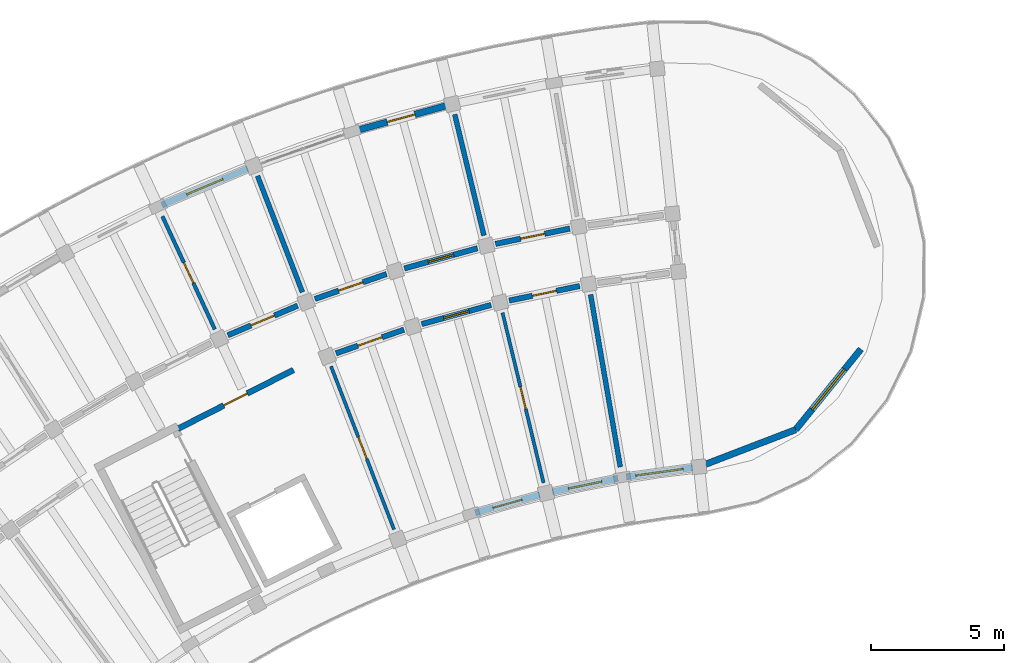
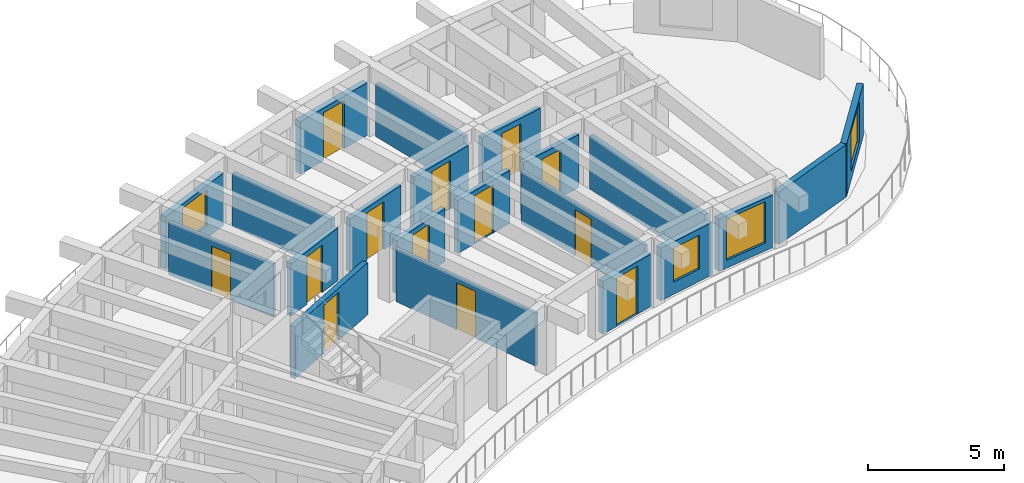
# One storey, part 45 of 78: 21 walls, 13 doors, 4 windows, 17 openings.
"""IFC4 building model written with IfcOpenShell, lengths in metres."""

from ifc_helpers import new_model, si_unit, direction, frame, frame_2d, origin, place, context, subcontext, project, spatial, rectangle, extrude, material, layer, layer_set, type_object, element, fill, save


model = new_model("IFC4")

# Units and contexts
model_context = context("Model", 3, precision=1e-05, world=origin(), true_north=direction((0.0, 1.0)))
body_context = subcontext(model_context, "Body", "Model", "MODEL_VIEW")
ifc_project = project(units=[si_unit("LENGTHUNIT", "METRE"), si_unit("AREAUNIT", "SQUARE_METRE"), si_unit("VOLUMEUNIT", "CUBIC_METRE"), si_unit("PLANEANGLEUNIT", "RADIAN"), si_unit("MASSUNIT", "GRAM", prefix="KILO")], contexts=[model_context])

# Site, building, storey
site_placement = place(None, origin())
site = spatial("IfcSite", under=ifc_project, at=site_placement, CompositionType="ELEMENT")
building_placement = place(site_placement, origin())
building = spatial("IfcBuilding", under=site, at=building_placement, Name="Tanwirah Colonnade Gardens", CompositionType="ELEMENT")
storey_placement = place(building_placement, frame((0.0, 0.0, 22.280029296875)))
storey = spatial("IfcBuildingStorey", under=building, at=storey_placement, Name="L06", CompositionType="ELEMENT", Elevation=22.280029296875)

# Wall, opening, window
ifc_material_1 = material(Name="Limestone architectural precast concrete C40/50", Category="masonry")
ifc_layer_1 = layer(ifc_material_1, 0.2451171875)
ifc_layer_set_1 = layer_set([ifc_layer_1], Name="Limestone architectural precast concrete C40/50")
wall_type_1 = type_object("IfcWallType", Name="EW-PC245", PredefinedType="SOLIDWALL", material=ifc_layer_set_1)
wall_1_placement = place(storey_placement, frame((60.111083984375, 104.372802734375, 0.0), z_axis=(0.0, 0.0, 1.0), x_axis=(-0.990545622952, -0.13718370476, 0.0)))
wall_1 = element("IfcWall", 1, at=wall_1_placement, inside=storey, type_object=wall_type_1, Name="Block A L06 IN Precast Facade Wall 0", PredefinedType="SOLIDWALL", context=body_context, shape_type="SweptSolid", body=[
    extrude(rectangle(XDim=2.525390625, YDim=0.2451171875, at=frame_2d((1.2626953125, 0.0))), origin(), (0.0, 0.0, 1.0), 2.35498046875),
])
opening_1_placement = place(wall_1_placement, frame((0.362548828125, 0.0, 0.35009765625)))
opening_1 = element("IfcOpeningElement", 2, at=opening_1_placement, cuts=wall_1, Name="Opening WIN-T14", PredefinedType="OPENING", context=body_context, shape_type="SweptSolid", body=[
    extrude(rectangle(XDim=1.800048828125, YDim=1.85009765625, at=frame_2d((0.89990234375, 0.925048828125))), frame((0.0, 0.132568359375, 0.0), z_axis=(0.0, -1.0, 0.0), x_axis=(1.0, 0.0, 0.0)), (0.0, 0.0, 1.0), 0.26513671875),
])
ifc_material_2 = material(Name="Thermally broken bronze aluminium and solar low-E double glazing", Category="aluminium")
window_type_1 = type_object("IfcWindowType", Name="WIN-T14", PartitioningType="TRIPLE_PANEL_VERTICAL", PredefinedType="WINDOW", material=ifc_material_2)
window_1_placement = place(opening_1_placement, origin())
window_1 = element("IfcWindow", 3, at=window_1_placement, inside=storey, type_object=window_type_1, Name="Facade window A-L06-IN-00", OverallHeight=1.85009765625, OverallWidth=1.800048828125, PartitioningType="SINGLE_PANEL", PredefinedType="WINDOW", context=body_context, shape_type="SweptSolid", body=[
    extrude(rectangle(XDim=1.800048828125, YDim=1.85009765625, at=frame_2d((0.89990234375, 0.925048828125))), frame((0.0, 0.030029296875, 0.0), z_axis=(0.0, -1.0, 0.0), x_axis=(1.0, 0.0, 0.0)), (0.0, 0.0, 1.0), 0.06005859375),
])
fill(opening_1, window_1)

wall_2_placement = place(storey_placement, frame((57.29443359375, 103.971923828125, 0.0), z_axis=(0.0, 0.0, 1.0), x_axis=(-0.979334432394, -0.20224754517, 0.0)))
wall_2 = element("IfcWall", 4, at=wall_2_placement, inside=storey, type_object=wall_type_1, Name="Block A L06 IN Precast Facade Wall 1", PredefinedType="SOLIDWALL", context=body_context, shape_type="SweptSolid", body=[
    extrude(rectangle(XDim=2.525390625, YDim=0.2451171875, at=frame_2d((1.2626953125, 0.0))), origin(), (0.0, 0.0, 1.0), 2.35498046875),
])
opening_2_placement = place(wall_2_placement, frame((0.62255859375, 0.0, 0.550048828125)))
opening_2 = element("IfcOpeningElement", 5, at=opening_2_placement, cuts=wall_2, Name="Opening WIN-T17", PredefinedType="OPENING", context=body_context, shape_type="SweptSolid", body=[
    extrude(rectangle(XDim=1.280029296875, YDim=1.52001953125, at=frame_2d((0.64013671875, 0.760009765625))), frame((0.0, 0.132568359375, 0.0), z_axis=(0.0, -1.0, 0.0), x_axis=(1.0, 0.0, 0.0)), (0.0, 0.0, 1.0), 0.26513671875),
])
window_type_2 = type_object("IfcWindowType", Name="WIN-T17", PartitioningType="SINGLE_PANEL", PredefinedType="WINDOW", material=ifc_material_2)
window_2_placement = place(opening_2_placement, origin())
window_2 = element("IfcWindow", 6, at=window_2_placement, inside=storey, type_object=window_type_2, Name="Facade window A-L06-IN-01", OverallHeight=1.52001953125, OverallWidth=1.280029296875, PartitioningType="SINGLE_PANEL", PredefinedType="WINDOW", context=body_context, shape_type="SweptSolid", body=[
    extrude(rectangle(XDim=1.280029296875, YDim=1.52001953125, at=frame_2d((0.64013671875, 0.760009765625))), frame((0.0, 0.030029296875, 0.0), z_axis=(0.0, -1.0, 0.0), x_axis=(1.0, 0.0, 0.0)), (0.0, 0.0, 1.0), 0.06005859375),
])
fill(opening_2, window_2)

# Wall, opening, door
wall_3_placement = place(storey_placement, frame((50.80615234375, 118.02587890625, 0.0), z_axis=(0.0, 0.0, 1.0), x_axis=(-0.963899390209, -0.266266718826, 0.0)))
wall_3 = element("IfcWall", 7, at=wall_3_placement, inside=storey, type_object=wall_type_1, Name="Block A L06 OUT Precast Facade Wall 2", PredefinedType="SOLIDWALL", context=body_context, shape_type="SweptSolid", body=[
    extrude(rectangle(XDim=3.52099609375, YDim=0.2451171875, at=frame_2d((1.760498046875, 0.0))), origin(), (0.0, 0.0, 1.0), 2.35498046875),
])
opening_3_placement = place(wall_3_placement, frame((1.220458984375, 0.0, 0.0)))
opening_3 = element("IfcOpeningElement", 8, at=opening_3_placement, cuts=wall_3, Name="Opening L06-ED027", PredefinedType="OPENING", context=body_context, shape_type="SweptSolid", body=[
    extrude(rectangle(XDim=1.080078125, YDim=2.14990234375, at=frame_2d((0.5400390625, 1.074951171875))), frame((0.0, 0.132568359375, 0.0), z_axis=(0.0, -1.0, 0.0), x_axis=(1.0, 0.0, 0.0)), (0.0, 0.0, 1.0), 0.26513671875),
])
ifc_material_3 = material(Name="Bronze aluminium glazed balcony door", Category="aluminium")
door_type_1 = type_object("IfcDoorType", Name="ED-BAL108", OperationType="NOTDEFINED", PredefinedType="DOOR", material=ifc_material_3)
door_1_placement = place(opening_3_placement, origin())
door_1 = element("IfcDoor", 9, at=door_1_placement, inside=storey, type_object=door_type_1, Name="Balcony glazed door L06-ED027", OperationType="SINGLE_SWING_LEFT", OverallHeight=2.14990234375, OverallWidth=1.080078125, PredefinedType="DOOR", context=body_context, shape_type="SweptSolid", body=[
    extrude(rectangle(XDim=1.080078125, YDim=2.14990234375, at=frame_2d((0.5400390625, 1.074951171875))), frame((0.0, 0.02490234375, 0.0), z_axis=(0.0, -1.0, 0.0), x_axis=(1.0, 0.0, 0.0)), (0.0, 0.0, 1.0), 0.050048828125),
])
fill(opening_3, door_1)

wall_4_placement = place(storey_placement, frame((54.34521484375, 103.346435546875, 0.0), z_axis=(0.0, 0.0, 1.0), x_axis=(-0.963901971286, -0.266257375017, 0.0)))
wall_4 = element("IfcWall", 10, at=wall_4_placement, inside=storey, type_object=wall_type_1, Name="Block A L06 IN Precast Facade Wall 2", PredefinedType="SOLIDWALL", context=body_context, shape_type="SweptSolid", body=[
    extrude(rectangle(XDim=2.525146484375, YDim=0.2451171875, at=frame_2d((1.2626953125, 0.0))), origin(), (0.0, 0.0, 1.0), 2.35498046875),
])
opening_4_placement = place(wall_4_placement, frame((0.692626953125, 0.0, 0.0)))
opening_4 = element("IfcOpeningElement", 11, at=opening_4_placement, cuts=wall_4, Name="Opening L06-ED028", PredefinedType="OPENING", context=body_context, shape_type="SweptSolid", body=[
    extrude(rectangle(XDim=1.139892578125, YDim=2.159912109375, at=frame_2d((0.56982421875, 1.080078125))), frame((0.0, 0.132568359375, 0.0), z_axis=(0.0, -1.0, 0.0), x_axis=(1.0, 0.0, 0.0)), (0.0, 0.0, 1.0), 0.26513671875),
])
door_type_2 = type_object("IfcDoorType", Name="ED-BAL114", OperationType="NOTDEFINED", PredefinedType="DOOR", material=ifc_material_3)
door_2_placement = place(opening_4_placement, origin())
door_2 = element("IfcDoor", 12, at=door_2_placement, inside=storey, type_object=door_type_2, Name="Balcony glazed door L06-ED028", OperationType="SINGLE_SWING_LEFT", OverallHeight=2.159912109375, OverallWidth=1.139892578125, PredefinedType="DOOR", context=body_context, shape_type="SweptSolid", body=[
    extrude(rectangle(XDim=1.139892578125, YDim=2.159912109375, at=frame_2d((0.56982421875, 1.080078125))), frame((0.0, 0.02490234375, 0.0), z_axis=(0.0, -1.0, 0.0), x_axis=(1.0, 0.0, 0.0)), (0.0, 0.0, 1.0), 0.050048828125),
])
fill(opening_4, door_2)

# Wall, opening, window
wall_5_placement = place(storey_placement, frame((43.325927734375, 115.657470703125, 0.0), z_axis=(0.0, 0.0, 1.0), x_axis=(-0.920502438884, -0.390736816807, 0.0)))
wall_5 = element("IfcWall", 13, at=wall_5_placement, inside=storey, type_object=wall_type_1, Name="Block A L06 OUT Precast Facade Wall 4", PredefinedType="SOLIDWALL", context=body_context, shape_type="SweptSolid", body=[
    extrude(rectangle(XDim=3.520751953125, YDim=0.2451171875, at=frame_2d((1.76025390625, 0.0))), origin(), (0.0, 0.0, 1.0), 2.35498046875),
])
opening_5_placement = place(wall_5_placement, frame((1.020263671875, 0.0, 0.550048828125)))
opening_5 = element("IfcOpeningElement", 14, at=opening_5_placement, cuts=wall_5, Name="Opening WIN-T19", PredefinedType="OPENING", context=body_context, shape_type="SweptSolid", body=[
    extrude(rectangle(XDim=1.47998046875, YDim=1.6201171875, at=frame_2d((0.739990234375, 0.81005859375))), frame((0.0, 0.132568359375, 0.0), z_axis=(0.0, -1.0, 0.0), x_axis=(1.0, 0.0, 0.0)), (0.0, 0.0, 1.0), 0.26513671875),
])
window_type_3 = type_object("IfcWindowType", Name="WIN-T19", PartitioningType="DOUBLE_PANEL_VERTICAL", PredefinedType="WINDOW", material=ifc_material_2)
window_3_placement = place(opening_5_placement, origin())
window_3 = element("IfcWindow", 15, at=window_3_placement, inside=storey, type_object=window_type_3, Name="Facade window A-L06-OUT-04", OverallHeight=1.6201171875, OverallWidth=1.47998046875, PartitioningType="SINGLE_PANEL", PredefinedType="WINDOW", context=body_context, shape_type="SweptSolid", body=[
    extrude(rectangle(XDim=1.47998046875, YDim=1.6201171875, at=frame_2d((0.739990234375, 0.81005859375))), frame((0.0, 0.030029296875, 0.0), z_axis=(0.0, -1.0, 0.0), x_axis=(1.0, 0.0, 0.0)), (0.0, 0.0, 1.0), 0.06005859375),
])
fill(opening_5, window_3)

wall_6_placement = place(storey_placement, frame((66.461669921875, 108.84423828125, 0.0), z_axis=(0.0, 0.0, 1.0), x_axis=(-0.629331205321, -0.777137204109, 0.0)))
wall_6 = element("IfcWall", 16, at=wall_6_placement, inside=storey, type_object=wall_type_1, Name="Block A L06 START Rounded End Wall 4", PredefinedType="SOLIDWALL", context=body_context, shape_type="SweptSolid", body=[
    extrude(rectangle(XDim=3.907958984375, YDim=0.2451171875, at=frame_2d((1.9541015625, 0.0))), origin(), (0.0, 0.0, 1.0), 2.35498046875),
])
opening_6_placement = place(wall_6_placement, frame((0.97900390625, 0.0, 0.39990234375)))
opening_6 = element("IfcOpeningElement", 17, at=opening_6_placement, cuts=wall_6, Name="Opening WIN-END2", PredefinedType="OPENING", context=body_context, shape_type="SweptSolid", body=[
    extrude(rectangle(XDim=1.949951171875, YDim=1.780029296875, at=frame_2d((0.97509765625, 0.89013671875))), frame((0.0, 0.132568359375, 0.0), z_axis=(0.0, -1.0, 0.0), x_axis=(1.0, 0.0, 0.0)), (0.0, 0.0, 1.0), 0.26513671875),
])
window_type_4 = type_object("IfcWindowType", Name="WIN-END2", PartitioningType="TRIPLE_PANEL_VERTICAL", PredefinedType="WINDOW", material=ifc_material_2)
window_4_placement = place(opening_6_placement, origin())
window_4 = element("IfcWindow", 18, at=window_4_placement, inside=storey, type_object=window_type_4, Name="Rounded corner window A-L06-START-4", OverallHeight=1.780029296875, OverallWidth=1.949951171875, PartitioningType="SINGLE_PANEL", PredefinedType="WINDOW", context=body_context, shape_type="SweptSolid", body=[
    extrude(rectangle(XDim=1.949951171875, YDim=1.780029296875, at=frame_2d((0.97509765625, 0.89013671875))), frame((0.0, 0.030029296875, 0.0), z_axis=(0.0, -1.0, 0.0), x_axis=(1.0, 0.0, 0.0)), (0.0, 0.0, 1.0), 0.06005859375),
])
fill(opening_6, window_4)

# Wall
wall_7_placement = place(storey_placement, frame((64.002197265625, 105.80712890625, 0.0), z_axis=(0.0, 0.0, 1.0), x_axis=(-0.93356922619, -0.35839712598, 0.0)))
element("IfcWall", 19, at=wall_7_placement, inside=storey, type_object=wall_type_1, Name="Block A L06 START Rounded End Wall 5", PredefinedType="SOLIDWALL", context=body_context, shape_type="SweptSolid", body=[
    extrude(rectangle(XDim=3.907958984375, YDim=0.2451171875, at=frame_2d((1.9541015625, 0.0))), origin(), (0.0, 0.0, 1.0), 2.35498046875),
])

# Wall, opening, door
ifc_material_4 = material(Name="Precast concrete C40/50", Category="concrete")
ifc_layer_2 = layer(ifc_material_4, 0.205078125)
ifc_layer_set_2 = layer_set([ifc_layer_2], Name="Precast concrete C40/50")
wall_type_2 = type_object("IfcWallType", Name="IW-CORR205", PredefinedType="PARTITIONING", material=ifc_layer_set_2)
wall_8_placement = place(storey_placement, frame((55.47802734375, 113.39404296875, 0.0), z_axis=(0.0, 0.0, 1.0), x_axis=(-0.979348418612, -0.202179808492, 0.0)))
wall_8 = element("IfcWall", 20, at=wall_8_placement, inside=storey, type_object=wall_type_2, Name="Block A L06 OUT Corridor Wall 1", PredefinedType="PARTITIONING", context=body_context, shape_type="SweptSolid", body=[
    extrude(rectangle(XDim=2.863037109375, YDim=0.205078125, at=frame_2d((1.431640625, 0.0))), origin(), (0.0, 0.0, 1.0), 2.369873046875),
])
opening_7_placement = place(wall_8_placement, frame((0.966552734375, 0.0, 0.0)))
opening_7 = element("IfcOpeningElement", 21, at=opening_7_placement, cuts=wall_8, Name="Opening L06-AD475", PredefinedType="OPENING", context=body_context, shape_type="SweptSolid", body=[
    extrude(rectangle(XDim=0.929931640625, YDim=2.1201171875, at=frame_2d((0.46484375, 1.06005859375))), frame((0.0, 0.112548828125, 0.0), z_axis=(0.0, -1.0, 0.0), x_axis=(1.0, 0.0, 0.0)), (0.0, 0.0, 1.0), 0.22509765625),
])
ifc_material_5 = material(Name="Solid oak fire-resisting apartment entrance door")
door_type_3 = type_object("IfcDoorType", Name="ID-FLT093", OperationType="NOTDEFINED", PredefinedType="DOOR", material=ifc_material_5)
door_3_placement = place(opening_7_placement, origin())
door_3 = element("IfcDoor", 22, at=door_3_placement, inside=storey, type_object=door_type_3, Name="Apartment corridor door L06-AD475", OperationType="SINGLE_SWING_RIGHT", OverallHeight=2.1201171875, OverallWidth=0.929931640625, PredefinedType="DOOR", context=body_context, shape_type="SweptSolid", body=[
    extrude(rectangle(XDim=0.929931640625, YDim=2.1201171875, at=frame_2d((0.46484375, 1.06005859375))), frame((0.0, 0.02490234375, 0.0), z_axis=(0.0, -1.0, 0.0), x_axis=(1.0, 0.0, 0.0)), (0.0, 0.0, 1.0), 0.050048828125),
])
fill(opening_7, door_3)

wall_9_placement = place(storey_placement, frame((55.851806640625, 111.22607421875, 0.0), z_axis=(0.0, 0.0, 1.0), x_axis=(-0.979349423541, -0.202174940608, 0.0)))
wall_9 = element("IfcWall", 23, at=wall_9_placement, inside=storey, type_object=wall_type_2, Name="Block A L06 IN Corridor Wall 1", PredefinedType="PARTITIONING", context=body_context, shape_type="SweptSolid", body=[
    extrude(rectangle(XDim=2.71826171875, YDim=0.205078125, at=frame_2d((1.359130859375, 0.0))), origin(), (0.0, 0.0, 1.0), 2.369873046875),
])
opening_8_placement = place(wall_9_placement, frame((0.89404296875, 0.0, 0.0)))
opening_8 = element("IfcOpeningElement", 24, at=opening_8_placement, cuts=wall_9, Name="Opening L06-AD476", PredefinedType="OPENING", context=body_context, shape_type="SweptSolid", body=[
    extrude(rectangle(XDim=0.929931640625, YDim=2.1201171875, at=frame_2d((0.46484375, 1.06005859375))), frame((0.0, 0.112548828125, 0.0), z_axis=(0.0, -1.0, 0.0), x_axis=(1.0, 0.0, 0.0)), (0.0, 0.0, 1.0), 0.22509765625),
])
door_4_placement = place(opening_8_placement, origin())
door_4 = element("IfcDoor", 25, at=door_4_placement, inside=storey, type_object=door_type_3, Name="Apartment corridor door L06-AD476", OperationType="SINGLE_SWING_LEFT", OverallHeight=2.1201171875, OverallWidth=0.929931640625, PredefinedType="DOOR", context=body_context, shape_type="SweptSolid", body=[
    extrude(rectangle(XDim=0.929931640625, YDim=2.1201171875, at=frame_2d((0.46484375, 1.06005859375))), frame((0.0, 0.02490234375, 0.0), z_axis=(0.0, -1.0, 0.0), x_axis=(1.0, 0.0, 0.0)), (0.0, 0.0, 1.0), 0.050048828125),
])
fill(opening_8, door_4)

wall_10_placement = place(storey_placement, frame((51.993896484375, 112.651123046875, 0.0), z_axis=(0.0, 0.0, 1.0), x_axis=(-0.963890789093, -0.266297853356, 0.0)))
wall_10 = element("IfcWall", 26, at=wall_10_placement, inside=storey, type_object=wall_type_2, Name="Block A L06 OUT Corridor Wall 2", PredefinedType="PARTITIONING", context=body_context, shape_type="SweptSolid", body=[
    extrude(rectangle(XDim=2.863037109375, YDim=0.205078125, at=frame_2d((1.431640625, 0.0))), origin(), (0.0, 0.0, 1.0), 2.369873046875),
])
opening_9_placement = place(wall_10_placement, frame((0.9365234375, 0.0, 0.0)))
opening_9 = element("IfcOpeningElement", 27, at=opening_9_placement, cuts=wall_10, Name="Opening L06-AD478", PredefinedType="OPENING", context=body_context, shape_type="SweptSolid", body=[
    extrude(rectangle(XDim=0.989990234375, YDim=2.159912109375, at=frame_2d((0.4951171875, 1.080078125))), frame((0.0, 0.112548828125, 0.0), z_axis=(0.0, -1.0, 0.0), x_axis=(1.0, 0.0, 0.0)), (0.0, 0.0, 1.0), 0.22509765625),
])
door_type_4 = type_object("IfcDoorType", Name="ID-FLT099", OperationType="NOTDEFINED", PredefinedType="DOOR", material=ifc_material_5)
door_5_placement = place(opening_9_placement, origin())
door_5 = element("IfcDoor", 28, at=door_5_placement, inside=storey, type_object=door_type_4, Name="Apartment corridor door L06-AD478", OperationType="SINGLE_SWING_LEFT", OverallHeight=2.159912109375, OverallWidth=0.989990234375, PredefinedType="DOOR", context=body_context, shape_type="SweptSolid", body=[
    extrude(rectangle(XDim=0.989990234375, YDim=2.159912109375, at=frame_2d((0.4951171875, 1.080078125))), frame((0.0, 0.02490234375, 0.0), z_axis=(0.0, -1.0, 0.0), x_axis=(1.0, 0.0, 0.0)), (0.0, 0.0, 1.0), 0.050048828125),
])
fill(opening_9, door_5)

wall_11_placement = place(storey_placement, frame((52.509521484375, 110.512451171875, 0.0), z_axis=(0.0, 0.0, 1.0), x_axis=(-0.96388375821, -0.266323301006, 0.0)))
wall_11 = element("IfcWall", 29, at=wall_11_placement, inside=storey, type_object=wall_type_2, Name="Block A L06 IN Corridor Wall 2", PredefinedType="PARTITIONING", context=body_context, shape_type="SweptSolid", body=[
    extrude(rectangle(XDim=2.718017578125, YDim=0.205078125, at=frame_2d((1.35888671875, 0.0))), origin(), (0.0, 0.0, 1.0), 2.369873046875),
])
opening_10_placement = place(wall_11_placement, frame((0.864013671875, 0.0, 0.0)))
opening_10 = element("IfcOpeningElement", 30, at=opening_10_placement, cuts=wall_11, Name="Opening L06-AD479", PredefinedType="OPENING", context=body_context, shape_type="SweptSolid", body=[
    extrude(rectangle(XDim=0.989990234375, YDim=2.159912109375, at=frame_2d((0.4951171875, 1.080078125))), frame((0.0, 0.112548828125, 0.0), z_axis=(0.0, -1.0, 0.0), x_axis=(1.0, 0.0, 0.0)), (0.0, 0.0, 1.0), 0.22509765625),
])
door_6_placement = place(opening_10_placement, origin())
door_6 = element("IfcDoor", 31, at=door_6_placement, inside=storey, type_object=door_type_4, Name="Apartment corridor door L06-AD479", OperationType="SINGLE_SWING_RIGHT", OverallHeight=2.159912109375, OverallWidth=0.989990234375, PredefinedType="DOOR", context=body_context, shape_type="SweptSolid", body=[
    extrude(rectangle(XDim=0.989990234375, YDim=2.159912109375, at=frame_2d((0.4951171875, 1.080078125))), frame((0.0, 0.02490234375, 0.0), z_axis=(0.0, -1.0, 0.0), x_axis=(1.0, 0.0, 0.0)), (0.0, 0.0, 1.0), 0.050048828125),
])
fill(opening_10, door_6)

wall_12_placement = place(storey_placement, frame((48.56640625, 111.68017578125, 0.0), z_axis=(0.0, 0.0, 1.0), x_axis=(-0.944253820929, -0.329218349522, 0.0)))
wall_12 = element("IfcWall", 32, at=wall_12_placement, inside=storey, type_object=wall_type_2, Name="Block A L06 OUT Corridor Wall 3", PredefinedType="PARTITIONING", context=body_context, shape_type="SweptSolid", body=[
    extrude(rectangle(XDim=2.86328125, YDim=0.205078125, at=frame_2d((1.431640625, 0.0))), origin(), (0.0, 0.0, 1.0), 2.369873046875),
])
opening_11_placement = place(wall_12_placement, frame((0.946533203125, 0.0, 0.0)))
opening_11 = element("IfcOpeningElement", 33, at=opening_11_placement, cuts=wall_12, Name="Opening L06-AD480", PredefinedType="OPENING", context=body_context, shape_type="SweptSolid", body=[
    extrude(rectangle(XDim=0.969970703125, YDim=2.14990234375, at=frame_2d((0.48486328125, 1.074951171875))), frame((0.0, 0.112548828125, 0.0), z_axis=(0.0, -1.0, 0.0), x_axis=(1.0, 0.0, 0.0)), (0.0, 0.0, 1.0), 0.22509765625),
])
door_type_5 = type_object("IfcDoorType", Name="ID-FLT097", OperationType="NOTDEFINED", PredefinedType="DOOR", material=ifc_material_5)
door_7_placement = place(opening_11_placement, origin())
door_7 = element("IfcDoor", 34, at=door_7_placement, inside=storey, type_object=door_type_5, Name="Apartment corridor door L06-AD480", OperationType="SINGLE_SWING_RIGHT", OverallHeight=2.14990234375, OverallWidth=0.969970703125, PredefinedType="DOOR", context=body_context, shape_type="SweptSolid", body=[
    extrude(rectangle(XDim=0.969970703125, YDim=2.14990234375, at=frame_2d((0.48486328125, 1.074951171875))), frame((0.0, 0.02490234375, 0.0), z_axis=(0.0, -1.0, 0.0), x_axis=(1.0, 0.0, 0.0)), (0.0, 0.0, 1.0), 0.050048828125),
])
fill(opening_11, door_7)

wall_13_placement = place(storey_placement, frame((49.221923828125, 109.580078125, 0.0), z_axis=(0.0, 0.0, 1.0), x_axis=(-0.944265123647, -0.329185929627, 0.0)))
wall_13 = element("IfcWall", 35, at=wall_13_placement, inside=storey, type_object=wall_type_2, Name="Block A L06 IN Corridor Wall 3", PredefinedType="PARTITIONING", context=body_context, shape_type="SweptSolid", body=[
    extrude(rectangle(XDim=2.71826171875, YDim=0.205078125, at=frame_2d((1.359130859375, 0.0))), origin(), (0.0, 0.0, 1.0), 2.369873046875),
])
opening_12_placement = place(wall_13_placement, frame((0.8740234375, 0.0, 0.0)))
opening_12 = element("IfcOpeningElement", 36, at=opening_12_placement, cuts=wall_13, Name="Opening L06-AD481", PredefinedType="OPENING", context=body_context, shape_type="SweptSolid", body=[
    extrude(rectangle(XDim=0.969970703125, YDim=2.14990234375, at=frame_2d((0.48486328125, 1.074951171875))), frame((0.0, 0.112548828125, 0.0), z_axis=(0.0, -1.0, 0.0), x_axis=(1.0, 0.0, 0.0)), (0.0, 0.0, 1.0), 0.22509765625),
])
door_8_placement = place(opening_12_placement, origin())
door_8 = element("IfcDoor", 37, at=door_8_placement, inside=storey, type_object=door_type_5, Name="Apartment corridor door L06-AD481", OperationType="SINGLE_SWING_LEFT", OverallHeight=2.14990234375, OverallWidth=0.969970703125, PredefinedType="DOOR", context=body_context, shape_type="SweptSolid", body=[
    extrude(rectangle(XDim=0.969970703125, YDim=2.14990234375, at=frame_2d((0.48486328125, 1.074951171875))), frame((0.0, 0.02490234375, 0.0), z_axis=(0.0, -1.0, 0.0), x_axis=(1.0, 0.0, 0.0)), (0.0, 0.0, 1.0), 0.050048828125),
])
fill(opening_12, door_8)

wall_14_placement = place(storey_placement, frame((45.210205078125, 110.485595703125, 0.0), z_axis=(0.0, 0.0, 1.0), x_axis=(-0.920511160294, -0.390716270168, 0.0)))
wall_14 = element("IfcWall", 38, at=wall_14_placement, inside=storey, type_object=wall_type_2, Name="Block A L06 OUT Corridor Wall 4", PredefinedType="PARTITIONING", context=body_context, shape_type="SweptSolid", body=[
    extrude(rectangle(XDim=2.863037109375, YDim=0.205078125, at=frame_2d((1.431640625, 0.0))), origin(), (0.0, 0.0, 1.0), 2.369873046875),
])
opening_13_placement = place(wall_14_placement, frame((0.95654296875, 0.0, 0.0)))
opening_13 = element("IfcOpeningElement", 39, at=opening_13_placement, cuts=wall_14, Name="Opening L06-AD483", PredefinedType="OPENING", context=body_context, shape_type="SweptSolid", body=[
    extrude(rectangle(XDim=0.949951171875, YDim=2.1298828125, at=frame_2d((0.47509765625, 1.06494140625))), frame((0.0, 0.112548828125, 0.0), z_axis=(0.0, -1.0, 0.0), x_axis=(1.0, 0.0, 0.0)), (0.0, 0.0, 1.0), 0.22509765625),
])
door_type_6 = type_object("IfcDoorType", Name="ID-FLT095", OperationType="NOTDEFINED", PredefinedType="DOOR", material=ifc_material_5)
door_9_placement = place(opening_13_placement, origin())
door_9 = element("IfcDoor", 40, at=door_9_placement, inside=storey, type_object=door_type_6, Name="Apartment corridor door L06-AD483", OperationType="SINGLE_SWING_LEFT", OverallHeight=2.1298828125, OverallWidth=0.949951171875, PredefinedType="DOOR", context=body_context, shape_type="SweptSolid", body=[
    extrude(rectangle(XDim=0.949951171875, YDim=2.1298828125, at=frame_2d((0.47509765625, 1.06494140625))), frame((0.0, 0.02490234375, 0.0), z_axis=(0.0, -1.0, 0.0), x_axis=(1.0, 0.0, 0.0)), (0.0, 0.0, 1.0), 0.050048828125),
])
fill(opening_13, door_9)

# Walls
ifc_layer_3 = layer(ifc_material_4, 0.18505859375)
ifc_layer_set_3 = layer_set([ifc_layer_3], Name="Precast concrete C40/50")
wall_type_3 = type_object("IfcWallType", Name="IW-DEM185", PredefinedType="PARTITIONING", material=ifc_layer_set_3)
wall_15_placement = place(storey_placement, frame((57.38330078125, 104.3984375, 0.0), z_axis=(0.0, 0.0, 1.0), x_axis=(-0.169825160084, 0.985474208187, 0.0)))
element("IfcWall", 41, at=wall_15_placement, inside=storey, type_object=wall_type_3, Name="Block A L06 Inner Radial Partition 0", PredefinedType="PARTITIONING", context=body_context, shape_type="SweptSolid", body=[
    extrude(rectangle(XDim=6.60009765625, YDim=0.18505859375, at=frame_2d((3.300048828125, 0.0))), origin(), (0.0, 0.0, 1.0), 2.369873046875),
])
wall_16_placement = place(storey_placement, frame((52.237548828125, 113.13330078125, 0.0), z_axis=(0.0, 0.0, 1.0), x_axis=(-0.234386624934, 0.972143461662, 0.0)))
element("IfcWall", 42, at=wall_16_placement, inside=storey, type_object=wall_type_3, Name="Block A L06 Radial Partition 1", PredefinedType="PARTITIONING", context=body_context, shape_type="SweptSolid", body=[
    extrude(rectangle(XDim=4.69970703125, YDim=0.18505859375, at=frame_2d((2.349853515625, 0.0))), origin(), (0.0, 0.0, 1.0), 2.369873046875),
])
wall_17_placement = place(storey_placement, frame((45.388427734375, 110.99560546875, 0.0), z_axis=(0.0, 0.0, 1.0), x_axis=(-0.360186633854, 0.932880264982, 0.0)))
element("IfcWall", 43, at=wall_17_placement, inside=storey, type_object=wall_type_3, Name="Block A L06 Radial Partition 3", PredefinedType="PARTITIONING", context=body_context, shape_type="SweptSolid", body=[
    extrude(rectangle(XDim=4.699951171875, YDim=0.18505859375, at=frame_2d((2.35009765625, 0.0))), origin(), (0.0, 0.0, 1.0), 2.369873046875),
])

# Wall, opening, door
ifc_material_6 = material(Name="Autoclaved aerated masonry blockwork", Category="masonry")
ifc_layer_4 = layer(ifc_material_6, 0.219970703125)
ifc_layer_set_4 = layer_set([ifc_layer_4], Name="Autoclaved aerated masonry blockwork")
wall_type_4 = type_object("IfcWallType", Name="IW-FFL220", PredefinedType="PARTITIONING", material=ifc_layer_set_4)
wall_18_placement = place(storey_placement, frame((40.68212890625, 105.833740234375, 0.0), z_axis=(0.0, 0.0, 1.0), x_axis=(0.891003372311, 0.453996685595, 0.0)))
wall_18 = element("IfcWall", 44, at=wall_18_placement, inside=storey, type_object=wall_type_4, Name="CORE-A1 L06 Enclosed Lobby Fire Wall", PredefinedType="PARTITIONING", context=body_context, shape_type="SweptSolid", body=[
    extrude(rectangle(XDim=4.900146484375, YDim=0.219970703125, at=frame_2d((2.4501953125, 0.0))), origin(), (0.0, 0.0, 1.0), 2.340087890625),
])
opening_14_placement = place(wall_18_placement, frame((1.949951171875, 0.0, 0.0)))
opening_14 = element("IfcOpeningElement", 45, at=opening_14_placement, cuts=wall_18, Name="Opening L06-LD024", PredefinedType="OPENING", context=body_context, shape_type="SweptSolid", body=[
    extrude(rectangle(XDim=1.0, YDim=2.14990234375, at=frame_2d((0.5, 1.074951171875))), frame((0.0, 0.119873046875, 0.0), z_axis=(0.0, -1.0, 0.0), x_axis=(1.0, 0.0, 0.0)), (0.0, 0.0, 1.0), 0.239990234375),
])
ifc_material_7 = material(Name="Acoustic fire-resisting lobby door")
door_type_7 = type_object("IfcDoorType", Name="ID-FFL100", OperationType="NOTDEFINED", PredefinedType="DOOR", material=ifc_material_7)
door_10_placement = place(opening_14_placement, origin())
door_10 = element("IfcDoor", 46, at=door_10_placement, inside=storey, type_object=door_type_7, Name="CORE-A1 L06 Lobby Fire Door L06-LD024", OperationType="SINGLE_SWING_LEFT", OverallHeight=2.14990234375, OverallWidth=1.0, PredefinedType="DOOR", context=body_context, shape_type="SweptSolid", body=[
    extrude(rectangle(XDim=1.0, YDim=2.14990234375, at=frame_2d((0.5, 1.074951171875))), frame((0.0, 0.02490234375, 0.0), z_axis=(0.0, -1.0, 0.0), x_axis=(1.0, 0.0, 0.0)), (0.0, 0.0, 1.0), 0.050048828125),
])
fill(opening_14, door_10)

ifc_material_8 = material(Name="Moisture-resistant gypsum stud partition")
ifc_layer_5 = layer(ifc_material_8, 0.125)
ifc_layer_set_5 = layer_set([ifc_layer_5], Name="Moisture-resistant gypsum stud partition")
wall_type_5 = type_object("IfcWallType", Name="IW-INT125", PredefinedType="PARTITIONING", material=ifc_layer_set_5)
wall_19_placement = place(storey_placement, frame((54.48779296875, 103.800537109375, 0.0), z_axis=(0.0, 0.0, 1.0), x_axis=(-0.234406698576, 0.972138621629, 0.0)))
wall_19 = element("IfcWall", 47, at=wall_19_placement, inside=storey, type_object=wall_type_5, Name="Block A L06 Inner Radial Partition 1", PredefinedType="PARTITIONING", context=body_context, shape_type="SweptSolid", body=[
    extrude(rectangle(XDim=6.60009765625, YDim=0.125, at=frame_2d((3.300048828125, 0.0))), origin(), (0.0, 0.0, 1.0), 2.369873046875),
])
opening_15_placement = place(wall_19_placement, frame((2.864990234375, 0.0, 0.0)))
opening_15 = element("IfcOpeningElement", 48, at=opening_15_placement, cuts=wall_19, Name="Opening L06-RD477", PredefinedType="OPENING", context=body_context, shape_type="SweptSolid", body=[
    extrude(rectangle(XDim=0.8701171875, YDim=2.080078125, at=frame_2d((0.43505859375, 1.0400390625))), frame((0.0, 0.072509765625, 0.0), z_axis=(0.0, -1.0, 0.0), x_axis=(1.0, 0.0, 0.0)), (0.0, 0.0, 1.0), 0.14501953125),
])
ifc_material_9 = material(Name="Painted hardwood study door", Category="wood")
door_type_8 = type_object("IfcDoorType", Name="ID-RM087", OperationType="NOTDEFINED", PredefinedType="DOOR", material=ifc_material_9)
door_11_placement = place(opening_15_placement, origin())
door_11 = element("IfcDoor", 49, at=door_11_placement, inside=storey, type_object=door_type_8, Name="Internal apartment door L06-RD477", OperationType="SINGLE_SWING_LEFT", OverallHeight=2.080078125, OverallWidth=0.8701171875, PredefinedType="DOOR", context=body_context, shape_type="SweptSolid", body=[
    extrude(rectangle(XDim=0.8701171875, YDim=2.080078125, at=frame_2d((0.43505859375, 1.0400390625))), frame((0.0, 0.02490234375, 0.0), z_axis=(0.0, -1.0, 0.0), x_axis=(1.0, 0.0, 0.0)), (0.0, 0.0, 1.0), 0.050048828125),
])
fill(opening_15, door_11)

wall_20_placement = place(storey_placement, frame((48.845947265625, 102.039794921875, 0.0), z_axis=(0.0, 0.0, 1.0), x_axis=(-0.360183473608, 0.932881485152, 0.0)))
wall_20 = element("IfcWall", 50, at=wall_20_placement, inside=storey, type_object=wall_type_5, Name="Block A L06 Inner Radial Partition 3", PredefinedType="PARTITIONING", context=body_context, shape_type="SweptSolid", body=[
    extrude(rectangle(XDim=6.599853515625, YDim=0.125, at=frame_2d((3.2998046875, 0.0))), origin(), (0.0, 0.0, 1.0), 2.369873046875),
])
opening_16_placement = place(wall_20_placement, frame((2.85498046875, 0.0, 0.0)))
opening_16 = element("IfcOpeningElement", 51, at=opening_16_placement, cuts=wall_20, Name="Opening L06-RD482", PredefinedType="OPENING", context=body_context, shape_type="SweptSolid", body=[
    extrude(rectangle(XDim=0.889892578125, YDim=2.10009765625, at=frame_2d((0.44482421875, 1.050048828125))), frame((0.0, 0.072509765625, 0.0), z_axis=(0.0, -1.0, 0.0), x_axis=(1.0, 0.0, 0.0)), (0.0, 0.0, 1.0), 0.14501953125),
])
ifc_material_10 = material(Name="Painted hardwood bedroom door", Category="wood")
door_type_9 = type_object("IfcDoorType", Name="ID-RM089", OperationType="NOTDEFINED", PredefinedType="DOOR", material=ifc_material_10)
door_12_placement = place(opening_16_placement, origin())
door_12 = element("IfcDoor", 52, at=door_12_placement, inside=storey, type_object=door_type_9, Name="Internal apartment door L06-RD482", OperationType="SINGLE_SWING_LEFT", OverallHeight=2.10009765625, OverallWidth=0.889892578125, PredefinedType="DOOR", context=body_context, shape_type="SweptSolid", body=[
    extrude(rectangle(XDim=0.889892578125, YDim=2.10009765625, at=frame_2d((0.44482421875, 1.050048828125))), frame((0.0, 0.02490234375, 0.0), z_axis=(0.0, -1.0, 0.0), x_axis=(1.0, 0.0, 0.0)), (0.0, 0.0, 1.0), 0.050048828125),
])
fill(opening_16, door_12)

ifc_material_11 = material(Name="Water-resistant acoustic plumbing partition")
ifc_layer_6 = layer(ifc_material_11, 0.139892578125)
ifc_layer_set_6 = layer_set([ifc_layer_6], Name="Water-resistant acoustic plumbing partition")
wall_type_6 = type_object("IfcWallType", Name="IW-WET140", PredefinedType="PLUMBINGWALL", material=ifc_layer_set_6)
wall_21_placement = place(storey_placement, frame((42.084228515625, 109.593017578125, 0.0), z_axis=(0.0, 0.0, 1.0), x_axis=(-0.420862519045, 0.907124434718, 0.0)))
wall_21 = element("IfcWall", 53, at=wall_21_placement, inside=storey, type_object=wall_type_6, Name="Block A L06 Radial Partition 4", PredefinedType="PLUMBINGWALL", context=body_context, shape_type="SweptSolid", body=[
    extrude(rectangle(XDim=4.699951171875, YDim=0.139892578125, at=frame_2d((2.35009765625, 0.0))), origin(), (0.0, 0.0, 1.0), 2.369873046875),
])
opening_17_placement = place(wall_21_placement, frame((1.919921875, 0.0, 0.0)))
opening_17 = element("IfcOpeningElement", 54, at=opening_17_placement, cuts=wall_21, Name="Opening L06-RD484", PredefinedType="OPENING", context=body_context, shape_type="SweptSolid", body=[
    extrude(rectangle(XDim=0.860107421875, YDim=2.06005859375, at=frame_2d((0.43017578125, 1.030029296875))), frame((0.0, 0.079833984375, 0.0), z_axis=(0.0, -1.0, 0.0), x_axis=(1.0, 0.0, 0.0)), (0.0, 0.0, 1.0), 0.159912109375),
])
ifc_material_12 = material(Name="Moisture-resistant bathroom door")
door_type_10 = type_object("IfcDoorType", Name="ID-WET086", OperationType="NOTDEFINED", PredefinedType="DOOR", material=ifc_material_12)
door_13_placement = place(opening_17_placement, origin())
door_13 = element("IfcDoor", 55, at=door_13_placement, inside=storey, type_object=door_type_10, Name="Internal apartment door L06-RD484", OperationType="SINGLE_SWING_LEFT", OverallHeight=2.06005859375, OverallWidth=0.860107421875, PredefinedType="DOOR", context=body_context, shape_type="SweptSolid", body=[
    extrude(rectangle(XDim=0.860107421875, YDim=2.06005859375, at=frame_2d((0.43017578125, 1.030029296875))), frame((0.0, 0.02490234375, 0.0), z_axis=(0.0, -1.0, 0.0), x_axis=(1.0, 0.0, 0.0)), (0.0, 0.0, 1.0), 0.050048828125),
])
fill(opening_17, door_13)

save(model, "model.ifc")
